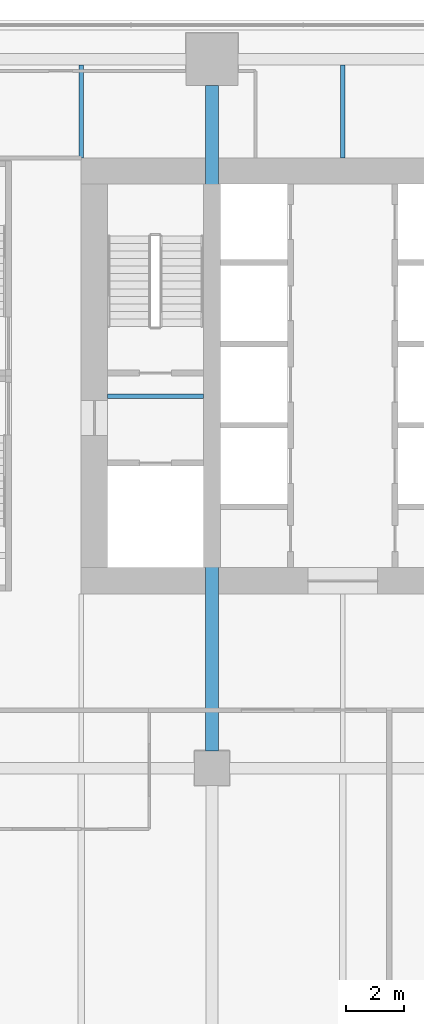
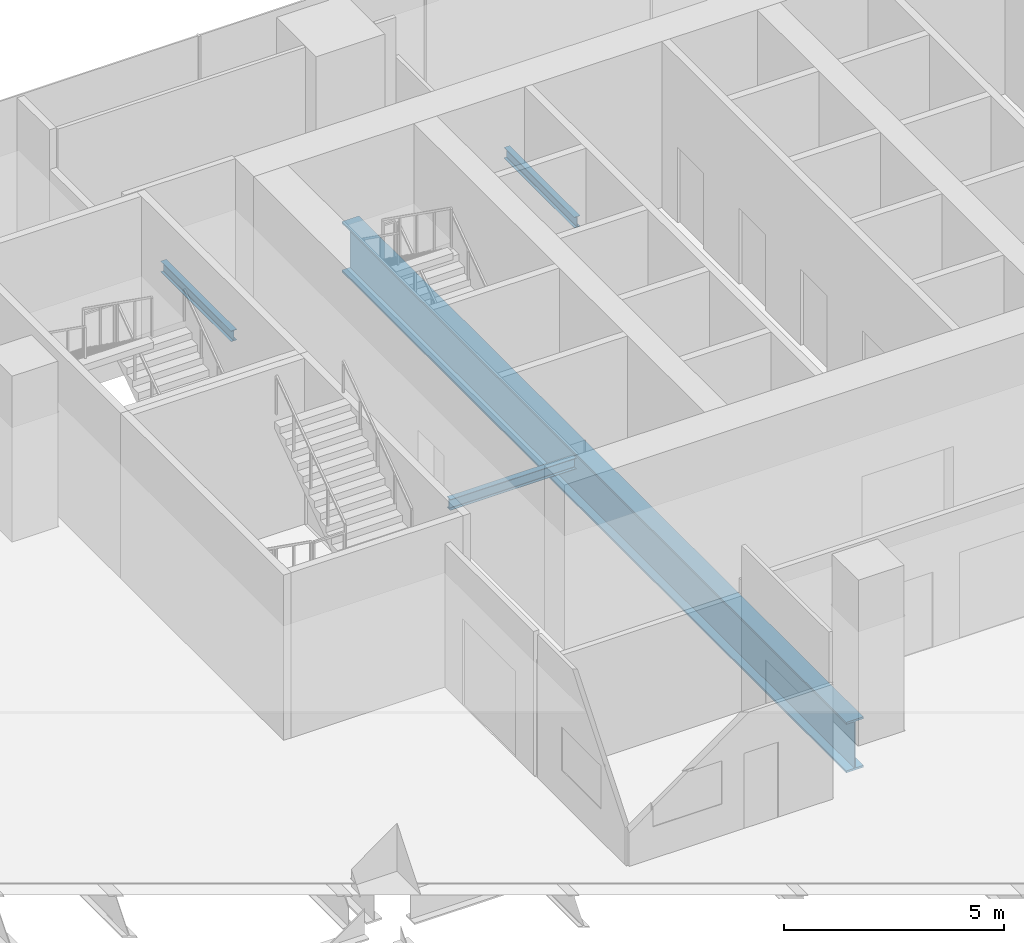
# One storey, part 10 of 28: 4 beams.
"""IFC4 building model written with IfcOpenShell, lengths in metres."""

import ifcopenshell
import ifcopenshell.guid

model = None  # the IFC model being written
_history = None  # IfcOwnerHistory: only IFC2X3 demands one
_inside = {}  # id of a spatial element -> (the spatial element, [elements in it])
_under = {}  # id of a project, library or spatial element -> (it, [spatial elements below it])
_declared = {}  # id of a project -> (the project, [libraries it declares])
_typed = {}  # id of a type object -> (the type object, [elements of that type])
_made_of = {}  # id of a material, layer set ... -> (it, [elements and type objects made of it])


def new_model(schema):
    """Start an empty IFC model of exactly this schema.

    Asked for "IFC4X3", IfcOpenShell would pick the latest addendum, in which some entities
    have other attributes; the version numbers below select the first issue.
    IFC2X3 requires an IfcOwnerHistory on every rooted entity: one is made here for all.
    """
    global model, _history
    if schema == "IFC4X3":
        model = ifcopenshell.file(schema_version=(4, 3, 0, 0))
    else:
        model = ifcopenshell.file(schema=schema)
    _inside.clear()
    _under.clear()
    _declared.clear()
    _typed.clear()
    _made_of.clear()
    _history = None
    if model.schema == "IFC2X3":
        org = make("IfcOrganization", Name="unknown")
        user = make(
            "IfcPersonAndOrganization",
            ThePerson=make("IfcPerson", FamilyName="unknown"),
            TheOrganization=org,
        )
        app = make(
            "IfcApplication",
            ApplicationDeveloper=org,
            Version="unknown",
            ApplicationFullName="unknown",
            ApplicationIdentifier="unknown",
        )
        _history = make(
            "IfcOwnerHistory",
            OwningUser=user,
            OwningApplication=app,
            ChangeAction="ADDED",
            CreationDate=0,
        )
    return model


def make(cls, **values):
    """One entity of the class cls with the attributes given. An attribute that is None is left unset."""
    return model.create_entity(
        cls, **{name: value for name, value in values.items() if value is not None}
    )


def rooted(cls, **values):
    """An entity with a GlobalId (a new one), such as an element, a storey or a relation."""
    return make(cls, GlobalId=ifcopenshell.guid.new(), OwnerHistory=_history, **values)


def si_unit(unit_type, name, prefix=None):
    """IfcSIUnit, for example si_unit("LENGTHUNIT", "METRE", prefix="MILLI")."""
    return make("IfcSIUnit", UnitType=unit_type, Prefix=prefix, Name=name)


def assignment(units):
    """IfcUnitAssignment: the units of a project."""
    return None if units is None else make("IfcUnitAssignment", Units=units)


def point(xyz):
    """IfcCartesianPoint."""
    return None if xyz is None else make("IfcCartesianPoint", Coordinates=xyz)


def direction(xyz):
    """IfcDirection."""
    return None if xyz is None else make("IfcDirection", DirectionRatios=xyz)


def frame(location, z_axis=None, x_axis=None):
    """IfcAxis2Placement3D, a coordinate frame: its origin and axes. An axis left out is left unset."""
    return make(
        "IfcAxis2Placement3D",
        Location=point(location),
        Axis=direction(z_axis),
        RefDirection=direction(x_axis),
    )


def frame_2d(location, x_axis=None):
    """IfcAxis2Placement2D, a coordinate frame in the plane: its origin and x axis."""
    return make(
        "IfcAxis2Placement2D", Location=point(location), RefDirection=direction(x_axis)
    )


def origin():
    """The frame at (0, 0, 0) with its axes left unset."""
    return frame((0.0, 0.0, 0.0))


def origin_2d():
    """The frame at (0, 0) in the plane with its x axis left unset."""
    return frame_2d((0.0, 0.0))


def place(relative_to, where):
    """IfcLocalPlacement: puts the frame where relative to a parent placement (None: the world)."""
    return make(
        "IfcLocalPlacement", PlacementRelTo=relative_to, RelativePlacement=where
    )


def context(
    kind, dimensions, precision=None, world=None, true_north=None, identifier=None
):
    """IfcGeometricRepresentationContext, for example the 3D "Model" context."""
    return make(
        "IfcGeometricRepresentationContext",
        ContextIdentifier=identifier,
        ContextType=kind,
        CoordinateSpaceDimension=dimensions,
        Precision=precision,
        WorldCoordinateSystem=world,
        TrueNorth=true_north,
    )


def subcontext(parent, identifier, kind, view, scale=None):
    """IfcGeometricRepresentationSubContext, for example "Body" below "Model"."""
    return make(
        "IfcGeometricRepresentationSubContext",
        ContextIdentifier=identifier,
        ContextType=kind,
        ParentContext=parent,
        TargetScale=scale,
        TargetView=view,
    )


def project(units=None, contexts=None):
    """IfcProject with its units and contexts."""
    return rooted(
        "IfcProject",
        Name="project",
        RepresentationContexts=contexts,
        UnitsInContext=assignment(units),
    )


def spatial(cls, under=None, at=None, **own):
    """A site, building, storey or space (cls), placed at a placement, below another one or the project."""
    s = rooted(cls, ObjectPlacement=at, **own)
    if under is not None:
        _under.setdefault(under.id(), (under, []))[1].append(s)
    return s


def profile(cls, at=None, kind="AREA", **sizes):
    """A parametric profile (cls). Its sizes go by their IFC names, for example OverallWidth=200.0."""
    return make(cls, ProfileType=kind, Position=at, **sizes)


def i_section(**sizes):
    """IfcIShapeProfileDef."""
    return profile("IfcIShapeProfileDef", **sizes)


def extrude(swept, where, along, depth):
    """IfcExtrudedAreaSolid: the profile swept, set in the frame where, extruded along a direction by depth."""
    return make(
        "IfcExtrudedAreaSolid",
        SweptArea=swept,
        Position=where,
        ExtrudedDirection=direction(along),
        Depth=depth,
    )


def shape(context_of_items, identifier, shape_type, items):
    """IfcShapeRepresentation: the items that make up one representation, for example the "Body"."""
    return make(
        "IfcShapeRepresentation",
        ContextOfItems=context_of_items,
        RepresentationIdentifier=identifier,
        RepresentationType=shape_type,
        Items=items,
    )


def material(Name=None, Category=None):
    """IfcMaterial."""
    return make("IfcMaterial", Name=Name, Category=Category)


def material_profile(
    of_material, cross_section, Name=None, Category=None, Priority=None
):
    """IfcMaterialProfile: a cross section and its material."""
    return make(
        "IfcMaterialProfile",
        Name=Name,
        Material=of_material,
        Profile=cross_section,
        Priority=Priority,
        Category=Category,
    )


def profile_set(profiles, Name=None, composite=None):
    """IfcMaterialProfileSet."""
    return make(
        "IfcMaterialProfileSet",
        Name=Name,
        MaterialProfiles=profiles,
        CompositeProfile=composite,
    )


def made_of(thing, what):
    """Note that an element or type object is made of a material, layer set ...; save() writes the relation."""
    if what is not None:
        _made_of.setdefault(what.id(), (what, []))[1].append(thing)
    return thing


def type_object(cls, material=None, **own):
    """A type object (cls), such as IfcWallType, which elements share."""
    return made_of(rooted(cls, **own), material)


def element(
    cls,
    number,
    at=None,
    inside=None,
    cuts=None,
    type_object=None,
    material=None,
    context=None,
    identifier="Body",
    shape_type=None,
    held_by="IfcProductDefinitionShape",
    body=None,
    shapes=None,
    **own,
):
    """One element of the class cls, such as IfcWall. Its Tag is "e" and its number.

    at: its placement. inside: the storey or other place that contains it. cuts: it is an
    opening in that element (IfcRelVoidsElement). A single representation is given by context,
    identifier, shape_type and body (its items); several are given by shapes. held_by: the class
    of the entity that holds the representations. save() writes the other relations.
    """
    e = rooted(cls, Tag="e%d" % number, ObjectPlacement=at, **own)
    if body is not None:
        shapes = [shape(context, identifier, shape_type, body)]
    if shapes is not None:
        e.Representation = make(held_by, Representations=shapes)
    if inside is not None:
        _inside.setdefault(inside.id(), (inside, []))[1].append(e)
    if cuts is not None:
        rooted(
            "IfcRelVoidsElement", RelatingBuildingElement=cuts, RelatedOpeningElement=e
        )
    if type_object is not None:
        _typed.setdefault(type_object.id(), (type_object, []))[1].append(e)
    return made_of(e, material)


def aggregate(whole, parts):
    """IfcRelAggregates: a whole, such as a stair, and the parts it consists of."""
    return rooted("IfcRelAggregates", RelatingObject=whole, RelatedObjects=parts)


def save(model, path):
    """Write the relations noted so far, then the file.

    IfcRelAggregates (storeys below a building ...), IfcRelContainedInSpatialStructure (elements
    in a storey), IfcRelDefinesByType, IfcRelAssociatesMaterial and IfcRelDeclares: one each for
    every whole, place, type object, material and project.
    """
    for whole, parts in _under.values():
        aggregate(whole, parts)
    for where, things in _inside.values():
        rooted(
            "IfcRelContainedInSpatialStructure",
            RelatedElements=things,
            RelatingStructure=where,
        )
    for kind, things in _typed.values():
        rooted("IfcRelDefinesByType", RelatedObjects=things, RelatingType=kind)
    for what, things in _made_of.values():
        rooted("IfcRelAssociatesMaterial", RelatedObjects=things, RelatingMaterial=what)
    for by, libraries in _declared.values():
        rooted("IfcRelDeclares", RelatingContext=by, RelatedDefinitions=libraries)
    model.write(path)


model = new_model("IFC4")

# Units and contexts
model_context = context("Model", 3, precision=1e-05, world=origin(), true_north=direction((0.0, 1.0)))
body_context = subcontext(model_context, "Body", "Model", "MODEL_VIEW")
ifc_project = project(units=[si_unit("LENGTHUNIT", "METRE"), si_unit("AREAUNIT", "SQUARE_METRE"), si_unit("VOLUMEUNIT", "CUBIC_METRE"), si_unit("PLANEANGLEUNIT", "RADIAN"), si_unit("MASSUNIT", "GRAM", prefix="KILO")], contexts=[model_context])

# Site, building, storey
site_placement = place(None, origin())
site = spatial("IfcSite", under=ifc_project, at=site_placement, CompositionType="ELEMENT")
building_placement = place(site_placement, origin())
building = spatial("IfcBuilding", under=site, at=building_placement, Name="Rattan Terrace Tower", CompositionType="ELEMENT")
storey_placement = place(building_placement, frame((0.0, 0.0, 22.199951171875)))
storey = spatial("IfcBuildingStorey", under=building, at=storey_placement, Name="L04", CompositionType="ELEMENT", Elevation=22.199951171875)

# Beams
ifc_material_1 = material(Name="Steel S355", Category="steel")
ifc_material_profile_1 = material_profile(ifc_material_1, i_section(OverallWidth=0.14990234375, OverallDepth=0.300048828125, WebThickness=0.007080078125, FlangeThickness=0.0107421875, FilletRadius=0.014892578125, at=origin_2d()), Name="IPE 300")
ifc_profile_set_1 = profile_set([ifc_material_profile_1], Name="Steel S355")
beam_type_1 = type_object("IfcBeamType", Name="Frame floor beam IPE 300", PredefinedType="JOIST", material=ifc_profile_set_1)
beam_1_placement = place(storey_placement, frame((-17.10009765625, -0.695068359375, -0.349853515625), z_axis=(1.0, 0.0, 0.0), x_axis=(0.0, 1.0, 0.0)))
element("IfcBeam", 1, at=beam_1_placement, inside=storey, type_object=beam_type_1, Name="bm-L04-001", PredefinedType="JOIST", context=body_context, shape_type="SweptSolid", body=[
    extrude(i_section(OverallWidth=0.14990234375, OverallDepth=0.300048828125, WebThickness=0.007080078125, FlangeThickness=0.0107421875, FilletRadius=0.014892578125, at=origin_2d()), origin(), (0.0, 0.0, 1.0), 3.300048828125),
])
for number, where, z_axis, x_axis, name in (
    (2, (-18.0, 7.5, -0.349853515625), (0.0, 1.0, 0.0), (-1.0, 0.0, 0.0), "bm-L04-045"),
    (3, (-9.0, 7.5, -0.349853515625), (0.0, 1.0, 0.0), (-1.0, 0.0, 0.0), "bm-L04-046"),
):
    element("IfcBeam", number, at=place(storey_placement, frame(where, z_axis=z_axis, x_axis=x_axis)), inside=storey, type_object=beam_type_1, Name=name, PredefinedType="JOIST", context=body_context, shape_type="SweptSolid", body=[
        extrude(i_section(OverallWidth=0.14990234375, OverallDepth=0.300048828125, WebThickness=0.007080078125, FlangeThickness=0.0107421875, FilletRadius=0.014892578125, at=origin_2d()), origin(), (0.0, 0.0, 1.0), 3.199951171875),
    ])
ifc_material_2 = material(Name="Steel S460", Category="steel")
ifc_material_profile_2 = material_profile(ifc_material_2, i_section(OverallWidth=0.449951171875, OverallDepth=1.39990234375, WebThickness=0.02197265625, FlangeThickness=0.054931640625, at=origin_2d()), Name="PG 1400x450-22-55")
ifc_profile_set_2 = profile_set([ifc_material_profile_2], Name="Steel S460")
beam_type_2 = type_object("IfcBeamType", Name="Frame podium girder PG 1400x450-22-55", PredefinedType="USERDEFINED", material=ifc_profile_set_2)
beam_2_placement = place(storey_placement, frame((-13.5, -12.89990234375, -0.89990234375), z_axis=(0.0, 1.0, 0.0), x_axis=(-1.0, 0.0, 0.0)))
element("IfcBeam", 4, at=beam_2_placement, inside=storey, type_object=beam_type_2, Name="gdr-L04-034", ObjectType="PODIUM GIRDER", PredefinedType="USERDEFINED", context=body_context, shape_type="SweptSolid", body=[
    extrude(i_section(OverallWidth=0.449951171875, OverallDepth=1.39990234375, WebThickness=0.02197265625, FlangeThickness=0.054931640625, at=origin_2d()), origin(), (0.0, 0.0, 1.0), 22.89990234375),
])

save(model, "model.ifc")
